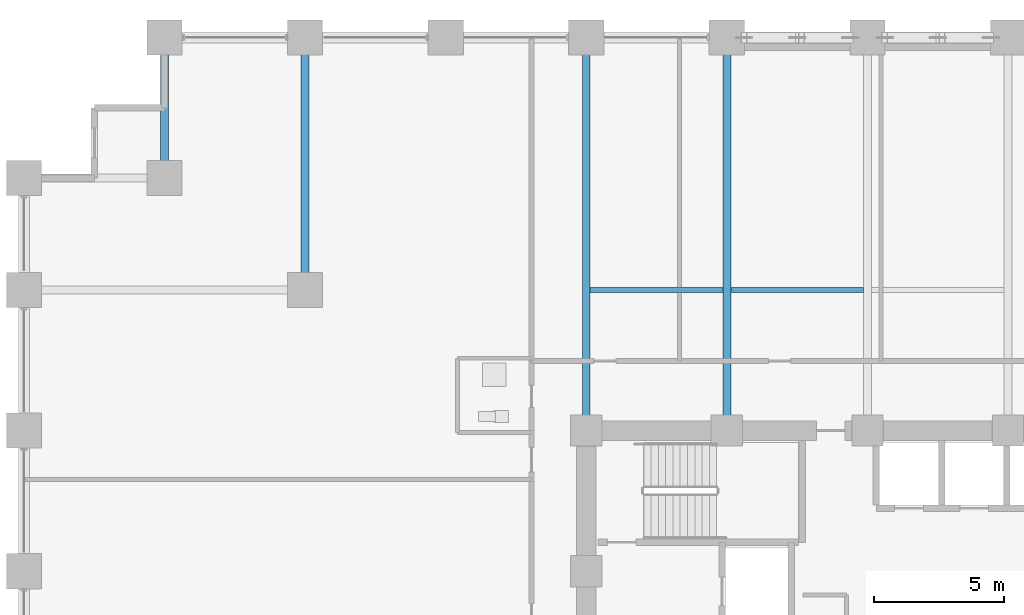
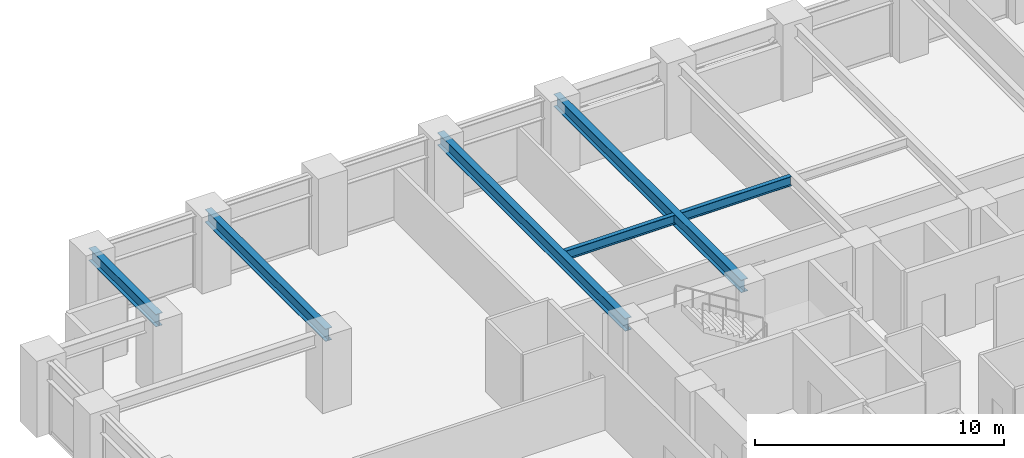
# One storey, part 11 of 25: 6 beams.
"""IFC4 building model written with IfcOpenShell, lengths in metres."""

from ifc_helpers import new_model, si_unit, direction, frame, origin, origin_2d, place, context, subcontext, project, spatial, i_section, extrude, material, material_profile, profile_set, type_object, element, save


model = new_model("IFC4")

# Units and contexts
model_context = context("Model", 3, precision=1e-05, world=origin(), true_north=direction((0.0, 1.0)))
body_context = subcontext(model_context, "Body", "Model", "MODEL_VIEW")
ifc_project = project(units=[si_unit("LENGTHUNIT", "METRE"), si_unit("AREAUNIT", "SQUARE_METRE"), si_unit("VOLUMEUNIT", "CUBIC_METRE"), si_unit("PLANEANGLEUNIT", "RADIAN"), si_unit("MASSUNIT", "GRAM", prefix="KILO")], contexts=[model_context])

# Site, building, storey
site_placement = place(None, origin())
site = spatial("IfcSite", under=ifc_project, at=site_placement, CompositionType="ELEMENT")
building_placement = place(site_placement, origin())
building = spatial("IfcBuilding", under=site, at=building_placement, Name="Surkhivell Harbour Commons", CompositionType="ELEMENT")
storey_placement = place(building_placement, frame((0.0, 0.0, 48.75)))
storey = spatial("IfcBuildingStorey", under=building, at=storey_placement, Name="L12", CompositionType="ELEMENT", Elevation=48.75)

# Beams
ifc_material = material(Name="Steel S355", Category="steel")
ifc_material_profile_1 = material_profile(ifc_material, i_section(OverallWidth=0.306884765625, OverallDepth=0.6201171875, WebThickness=0.01416015625, FlangeThickness=0.023681640625, at=origin_2d()), Name="UB610x305x179")
ifc_profile_set_1 = profile_set([ifc_material_profile_1], Name="Steel S355")
beam_type_1 = type_object("IfcBeamType", Name="BM-GRD-610A", PredefinedType="BEAM", material=ifc_profile_set_1)
beam_1_placement = place(storey_placement, frame((-27.0, 20.5, 3.260009765625), z_axis=(0.0, 1.0, 0.0), x_axis=(-1.0, 0.0, 0.0)))
element("IfcBeam", 1, at=beam_1_placement, inside=storey, type_object=beam_type_1, Name="L12 Floor Girder (-27.0,20.5)", PredefinedType="BEAM", context=body_context, shape_type="SweptSolid", body=[
    extrude(i_section(OverallWidth=0.306884765625, OverallDepth=0.6201171875, WebThickness=0.01416015625, FlangeThickness=0.023681640625, at=origin_2d()), origin(), (0.0, 0.0, 1.0), 5.39990234375),
])
beam_2_placement = place(storey_placement, frame((-21.60009765625, 16.199951171875, 3.260009765625), z_axis=(0.0, 1.0, 0.0), x_axis=(-1.0, 0.0, 0.0)))
element("IfcBeam", 2, at=beam_2_placement, inside=storey, type_object=beam_type_1, Name="L12 Floor Girder (-21.6,16.2)", PredefinedType="BEAM", context=body_context, shape_type="SweptSolid", body=[
    extrude(i_section(OverallWidth=0.306884765625, OverallDepth=0.6201171875, WebThickness=0.01416015625, FlangeThickness=0.023681640625, at=origin_2d()), origin(), (0.0, 0.0, 1.0), 9.699951171875),
])
for number, where, z_axis, x_axis, name in (
    (3, (-10.800048828125, 10.800048828125, 3.260009765625), (0.0, 1.0, 0.0), (-1.0, 0.0, 0.0), "L12 Floor Girder (-10.8,10.8)"),
    (4, (-5.39990234375, 10.800048828125, 3.260009765625), (0.0, 1.0, 0.0), (-1.0, 0.0, 0.0), "L12 Floor Girder (-5.4,10.8)"),
):
    element("IfcBeam", number, at=place(storey_placement, frame(where, z_axis=z_axis, x_axis=x_axis)), inside=storey, type_object=beam_type_1, Name=name, PredefinedType="BEAM", context=body_context, shape_type="SweptSolid", body=[
        extrude(i_section(OverallWidth=0.306884765625, OverallDepth=0.6201171875, WebThickness=0.01416015625, FlangeThickness=0.023681640625, at=origin_2d()), origin(), (0.0, 0.0, 1.0), 15.099853515625),
    ])
ifc_material_profile_2 = material_profile(ifc_material, i_section(OverallWidth=0.19189453125, OverallDepth=0.462890625, WebThickness=0.010498046875, FlangeThickness=0.017578125, at=origin_2d()), Name="UB457x191x89")
ifc_profile_set_2 = profile_set([ifc_material_profile_2], Name="Steel S355")
beam_type_2 = type_object("IfcBeamType", Name="BM-JST-457A", PredefinedType="JOIST", material=ifc_profile_set_2)
for number, where, z_axis, x_axis, name in (
    (5, (-10.6484375, 16.199951171875, 3.33837890625), (1.0, 0.0, 0.0), (0.0, 1.0, 0.0), "L12 North Composite Joist (-10.8)"),
    (6, (-5.24853515625, 16.199951171875, 3.33837890625), (1.0, 0.0, 0.0), (0.0, 1.0, 0.0), "L12 North Composite Joist (-5.4)"),
):
    element("IfcBeam", number, at=place(storey_placement, frame(where, z_axis=z_axis, x_axis=x_axis)), inside=storey, type_object=beam_type_2, Name=name, PredefinedType="JOIST", context=body_context, shape_type="SweptSolid", body=[
        extrude(i_section(OverallWidth=0.19189453125, OverallDepth=0.462890625, WebThickness=0.010498046875, FlangeThickness=0.017578125, at=origin_2d()), origin(), (0.0, 0.0, 1.0), 5.096923828125),
    ])

save(model, "model.ifc")
